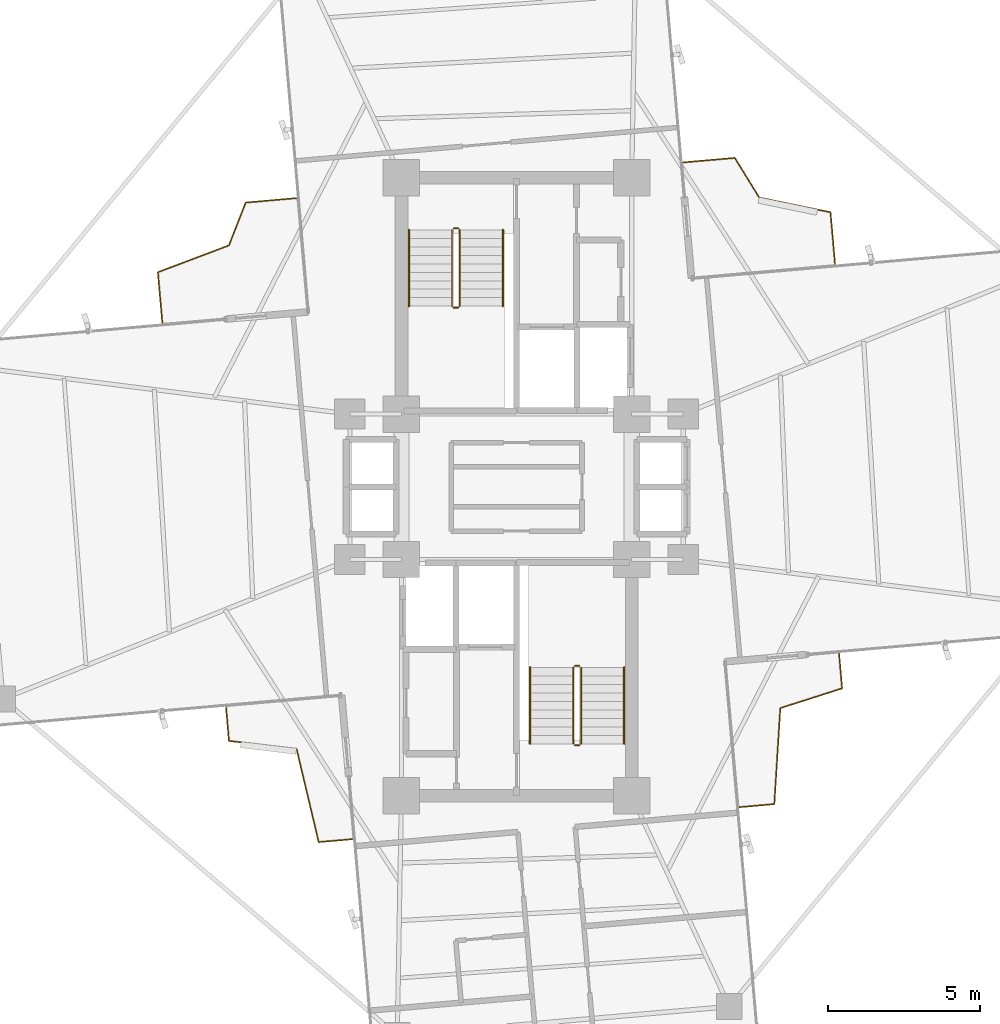
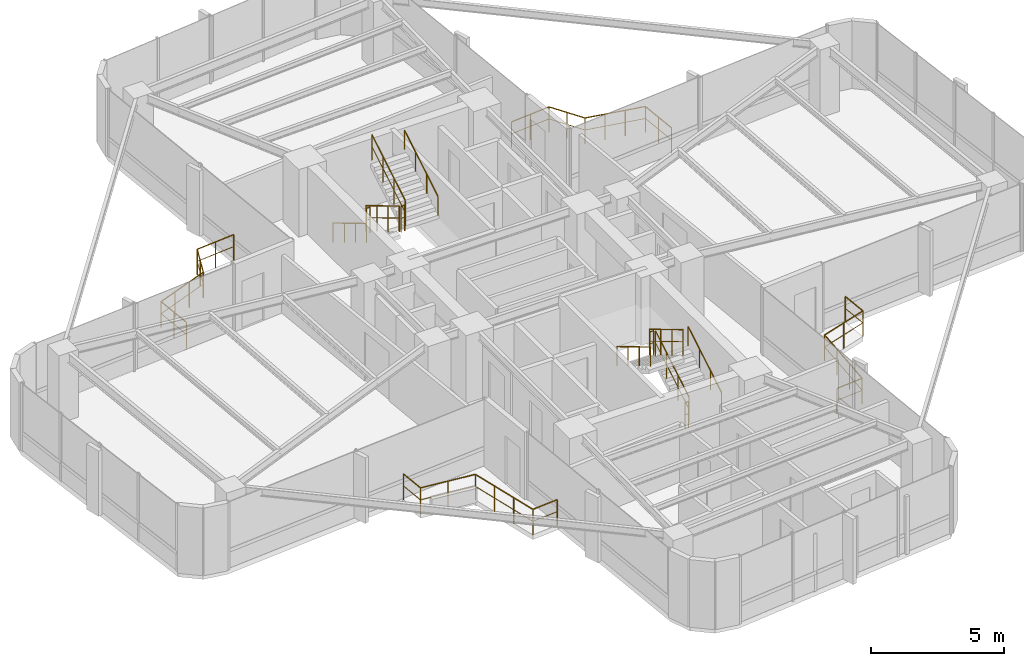
# One storey, part 24 of 24: 16 railings.
"""IFC4 building model written with IfcOpenShell, lengths in metres."""

from ifc_helpers import new_model, si_unit, direction, frame, origin, origin_2d, place, context, subcontext, project, spatial, circle, extrude, material, type_object, element, save


model = new_model("IFC4")

# Units and contexts
model_context = context("Model", 3, precision=1e-05, world=origin(), true_north=direction((0.0, 1.0)))
body_context = subcontext(model_context, "Body", "Model", "MODEL_VIEW")
ifc_project = project(units=[si_unit("LENGTHUNIT", "METRE"), si_unit("AREAUNIT", "SQUARE_METRE"), si_unit("VOLUMEUNIT", "CUBIC_METRE"), si_unit("PLANEANGLEUNIT", "RADIAN"), si_unit("MASSUNIT", "GRAM", prefix="KILO")], contexts=[model_context])

# Site, building, storey
site_placement = place(None, origin())
site = spatial("IfcSite", under=ifc_project, at=site_placement, CompositionType="ELEMENT")
building_placement = place(site_placement, origin())
building = spatial("IfcBuilding", under=site, at=building_placement, Name="Sahyath Konkavel Grand Hotel", CompositionType="ELEMENT")
storey_placement = place(building_placement, frame((0.0, 0.0, 185.25)))
storey = spatial("IfcBuildingStorey", under=building, at=storey_placement, Name="L51", CompositionType="ELEMENT", Elevation=185.25)

# Railings
ifc_material_1 = material(Name="Anodised Bronze Aluminium", Category="aluminium")
railing_type_1 = type_object("IfcRailingType", Name="RLG-BALC-1200", PredefinedType="GUARDRAIL", material=ifc_material_1)
railing_1_placement = place(storey_placement, frame((10.51220703125, 7.354248046875, 0.0)))
element("IfcRailing", 1, at=railing_1_placement, inside=storey, type_object=railing_type_1, Name="L51 Winter-Garden Guard NE", PredefinedType="GUARDRAIL", context=body_context, shape_type="SweptSolid", body=[
    extrude(circle(Radius=0.02392578125, at=origin_2d()), frame((-0.000244140625, 0.001953125, 1.17578125), z_axis=(-0.087207606559, 0.996190159236, 0.0), x_axis=(-0.996190159236, -0.087207606559, 0.0)), (0.0, 0.0, 1.0), 1.709228515625),
    extrude(circle(Radius=0.01416015625, at=origin_2d()), frame((-0.000244140625, 0.001953125, 0.6240234375), z_axis=(-0.087207606559, 0.996190159236, 0.0), x_axis=(-0.996190159236, -0.087207606559, 0.0)), (0.0, 0.0, 1.0), 1.709228515625),
    extrude(circle(Radius=0.02392578125, at=origin_2d()), frame((-0.1513671875, 1.707275390625, 1.17578125), z_axis=(-0.979252766935, 0.202642587945, 0.0), x_axis=(-0.202642587945, -0.979252766935, 0.0)), (0.0, 0.0, 1.0), 2.397216796875),
    extrude(circle(Radius=0.01416015625, at=origin_2d()), frame((-0.1513671875, 1.707275390625, 0.6240234375), z_axis=(-0.979252766935, 0.202642587945, 0.0), x_axis=(-0.202642587945, -0.979252766935, 0.0)), (0.0, 0.0, 1.0), 2.397216796875),
    extrude(circle(Radius=0.02392578125, at=origin_2d()), frame((-2.501708984375, 2.195068359375, 1.17578125), z_axis=(-0.5248503515, 0.851194518621, 0.0), x_axis=(-0.851194518621, -0.5248503515, 0.0)), (0.0, 0.0, 1.0), 1.533447265625),
    extrude(circle(Radius=0.01416015625, at=origin_2d()), frame((-2.501708984375, 2.195068359375, 0.6240234375), z_axis=(-0.5248503515, 0.851194518621, 0.0), x_axis=(-0.851194518621, -0.5248503515, 0.0)), (0.0, 0.0, 1.0), 1.533447265625),
    extrude(circle(Radius=0.02392578125, at=origin_2d()), frame((-3.3095703125, 3.501708984375, 1.17578125), z_axis=(-0.996190159236, -0.087207606559, 0.0), x_axis=(0.087207606559, -0.996190159236, 0.0)), (0.0, 0.0, 1.0), 1.709228515625),
    extrude(circle(Radius=0.01416015625, at=origin_2d()), frame((-3.3095703125, 3.501708984375, 0.6240234375), z_axis=(-0.996190159236, -0.087207606559, 0.0), x_axis=(0.087207606559, -0.996190159236, 0.0)), (0.0, 0.0, 1.0), 1.709228515625),
    extrude(circle(Radius=0.02099609375, at=origin_2d()), origin(), (0.0, 0.0, 1.0), 1.15185546875),
    extrude(circle(Radius=0.02099609375, at=origin_2d()), frame((-0.07470703125, 0.853515625, 0.0)), (0.0, 0.0, 1.0), 1.15185546875),
    extrude(circle(Radius=0.02099609375, at=origin_2d()), frame((-0.1494140625, 1.706787109375, 0.0)), (0.0, 0.0, 1.0), 1.15185546875),
    extrude(circle(Radius=0.02099609375, at=origin_2d()), frame((-0.93310546875, 1.868896484375, 0.0)), (0.0, 0.0, 1.0), 1.15185546875),
    extrude(circle(Radius=0.02099609375, at=origin_2d()), frame((-1.717041015625, 2.03125, 0.0)), (0.0, 0.0, 1.0), 1.15185546875),
    extrude(circle(Radius=0.02099609375, at=origin_2d()), frame((-2.500732421875, 2.193359375, 0.0)), (0.0, 0.0, 1.0), 1.15185546875),
    extrude(circle(Radius=0.02099609375, at=origin_2d()), frame((-2.904296875, 2.84765625, 0.0)), (0.0, 0.0, 1.0), 1.15185546875),
    extrude(circle(Radius=0.02099609375, at=origin_2d()), frame((-3.3076171875, 3.501953125, 0.0)), (0.0, 0.0, 1.0), 1.15185546875),
    extrude(circle(Radius=0.02099609375, at=origin_2d()), frame((-4.1611328125, 3.42724609375, 0.0)), (0.0, 0.0, 1.0), 1.15185546875),
    extrude(circle(Radius=0.02099609375, at=origin_2d()), frame((-5.014404296875, 3.3525390625, 0.0)), (0.0, 0.0, 1.0), 1.15185546875),
])
railing_2_placement = place(storey_placement, frame((-7.26806640625, 9.52783203125, 0.0)))
element("IfcRailing", 2, at=railing_2_placement, inside=storey, type_object=railing_type_1, Name="L51 Winter-Garden Guard NW", PredefinedType="GUARDRAIL", context=body_context, shape_type="SweptSolid", body=[
    extrude(circle(Radius=0.02392578125, at=origin_2d()), frame((-0.001953125, -0.000244140625, 1.17578125), z_axis=(-0.996195138685, -0.087150706597, 0.0), x_axis=(0.087150706597, -0.996195138685, 0.0)), (0.0, 0.0, 1.0), 1.674072265625),
    extrude(circle(Radius=0.01416015625, at=origin_2d()), frame((-0.001953125, -0.000244140625, 0.6240234375), z_axis=(-0.996195138685, -0.087150706597, 0.0), x_axis=(0.087150706597, -0.996195138685, 0.0)), (0.0, 0.0, 1.0), 1.674072265625),
    extrude(circle(Radius=0.02392578125, at=origin_2d()), frame((-1.67236328125, -0.148193359375, 1.17578125), z_axis=(-0.365011080678, -0.931003174529, 0.0), x_axis=(0.931003174529, -0.365011080678, 0.0)), (0.0, 0.0, 1.0), 1.515625),
    extrude(circle(Radius=0.01416015625, at=origin_2d()), frame((-1.67236328125, -0.148193359375, 0.6240234375), z_axis=(-0.365011080678, -0.931003174529, 0.0), x_axis=(0.931003174529, -0.365011080678, 0.0)), (0.0, 0.0, 1.0), 1.515625),
    extrude(circle(Radius=0.02392578125, at=origin_2d()), frame((-2.228271484375, -1.561767578125, 1.17578125), z_axis=(-0.93568251185, -0.352843077043, 0.0), x_axis=(0.352843077043, -0.93568251185, 0.0)), (0.0, 0.0, 1.0), 2.5),
    extrude(circle(Radius=0.01416015625, at=origin_2d()), frame((-2.228271484375, -1.561767578125, 0.6240234375), z_axis=(-0.93568251185, -0.352843077043, 0.0), x_axis=(0.352843077043, -0.93568251185, 0.0)), (0.0, 0.0, 1.0), 2.5),
    extrude(circle(Radius=0.02392578125, at=origin_2d()), frame((-4.569091796875, -2.446533203125, 1.17578125), z_axis=(0.087150706597, -0.996195138685, 0.0), x_axis=(0.996195138685, 0.087150706597, 0.0)), (0.0, 0.0, 1.0), 1.674072265625),
    extrude(circle(Radius=0.01416015625, at=origin_2d()), frame((-4.569091796875, -2.446533203125, 0.6240234375), z_axis=(0.087150706597, -0.996195138685, 0.0), x_axis=(0.996195138685, 0.087150706597, 0.0)), (0.0, 0.0, 1.0), 1.674072265625),
    extrude(circle(Radius=0.02099609375, at=origin_2d()), origin(), (0.0, 0.0, 1.0), 1.15185546875),
    extrude(circle(Radius=0.02099609375, at=origin_2d()), frame((-0.8359375, -0.0732421875, 0.0)), (0.0, 0.0, 1.0), 1.15185546875),
    extrude(circle(Radius=0.02099609375, at=origin_2d()), frame((-1.671630859375, -0.146240234375, 0.0)), (0.0, 0.0, 1.0), 1.15185546875),
    extrude(circle(Radius=0.02099609375, at=origin_2d()), frame((-1.948974609375, -0.853515625, 0.0)), (0.0, 0.0, 1.0), 1.15185546875),
    extrude(circle(Radius=0.02099609375, at=origin_2d()), frame((-2.226318359375, -1.56103515625, 0.0)), (0.0, 0.0, 1.0), 1.15185546875),
    extrude(circle(Radius=0.02099609375, at=origin_2d()), frame((-3.00732421875, -1.85546875, 0.0)), (0.0, 0.0, 1.0), 1.15185546875),
    extrude(circle(Radius=0.02099609375, at=origin_2d()), frame((-3.788330078125, -2.150146484375, 0.0)), (0.0, 0.0, 1.0), 1.15185546875),
    extrude(circle(Radius=0.02099609375, at=origin_2d()), frame((-4.5693359375, -2.444580078125, 0.0)), (0.0, 0.0, 1.0), 1.15185546875),
    extrude(circle(Radius=0.02099609375, at=origin_2d()), frame((-4.49609375, -3.2802734375, 0.0)), (0.0, 0.0, 1.0), 1.15185546875),
    extrude(circle(Radius=0.02099609375, at=origin_2d()), frame((-4.423095703125, -4.1162109375, 0.0)), (0.0, 0.0, 1.0), 1.15185546875),
])
railing_3_placement = place(storey_placement, frame((-9.589599609375, -7.2734375, 0.0)))
element("IfcRailing", 3, at=railing_3_placement, inside=storey, type_object=railing_type_1, Name="L51 Winter-Garden Guard SW", PredefinedType="GUARDRAIL", context=body_context, shape_type="SweptSolid", body=[
    extrude(circle(Radius=0.02392578125, at=origin_2d()), frame((0.000244140625, -0.001953125, 1.17578125), z_axis=(0.087091134757, -0.996200348447, 0.0), x_axis=(0.996200348447, 0.087091134757, 0.0)), (0.0, 0.0, 1.0), 1.114501953125),
    extrude(circle(Radius=0.01416015625, at=origin_2d()), frame((0.000244140625, -0.001953125, 0.6240234375), z_axis=(0.087091134757, -0.996200348447, 0.0), x_axis=(0.996200348447, 0.087091134757, 0.0)), (0.0, 0.0, 1.0), 1.114501953125),
    extrude(circle(Radius=0.02392578125, at=origin_2d()), frame((0.099365234375, -1.114501953125, 1.17578125), z_axis=(0.993029202977, -0.117868579502, 0.0), x_axis=(0.117868579502, 0.993029202977, 0.0)), (0.0, 0.0, 1.0), 2.243408203125),
    extrude(circle(Radius=0.01416015625, at=origin_2d()), frame((0.099365234375, -1.114501953125, 0.6240234375), z_axis=(0.993029202977, -0.117868579502, 0.0), x_axis=(0.117868579502, 0.993029202977, 0.0)), (0.0, 0.0, 1.0), 2.243408203125),
    extrude(circle(Radius=0.02392578125, at=origin_2d()), frame((2.32958984375, -1.381103515625, 1.17578125), z_axis=(0.230735942353, -0.973016405261, 0.0), x_axis=(0.973016405261, 0.230735942353, 0.0)), (0.0, 0.0, 1.0), 3.155517578125),
    extrude(circle(Radius=0.01416015625, at=origin_2d()), frame((2.32958984375, -1.381103515625, 0.6240234375), z_axis=(0.230735942353, -0.973016405261, 0.0), x_axis=(0.973016405261, 0.230735942353, 0.0)), (0.0, 0.0, 1.0), 3.155517578125),
    extrude(circle(Radius=0.02392578125, at=origin_2d()), frame((3.06005859375, -4.453125, 1.17578125), z_axis=(0.996202003483, 0.0870722014, 0.0), x_axis=(-0.0870722014, 0.996202003483, 0.0)), (0.0, 0.0, 1.0), 1.11474609375),
    extrude(circle(Radius=0.01416015625, at=origin_2d()), frame((3.06005859375, -4.453125, 0.6240234375), z_axis=(0.996202003483, 0.0870722014, 0.0), x_axis=(-0.0870722014, 0.996202003483, 0.0)), (0.0, 0.0, 1.0), 1.11474609375),
    extrude(circle(Radius=0.02099609375, at=origin_2d()), origin(), (0.0, 0.0, 1.0), 1.15185546875),
    extrude(circle(Radius=0.02099609375, at=origin_2d()), frame((0.097412109375, -1.1142578125, 0.0)), (0.0, 0.0, 1.0), 1.15185546875),
    extrude(circle(Radius=0.02099609375, at=origin_2d()), frame((1.21337890625, -1.24658203125, 0.0)), (0.0, 0.0, 1.0), 1.15185546875),
    extrude(circle(Radius=0.02099609375, at=origin_2d()), frame((2.3291015625, -1.379150390625, 0.0)), (0.0, 0.0, 1.0), 1.15185546875),
    extrude(circle(Radius=0.02099609375, at=origin_2d()), frame((2.572021484375, -2.40380859375, 0.0)), (0.0, 0.0, 1.0), 1.15185546875),
    extrude(circle(Radius=0.02099609375, at=origin_2d()), frame((2.815185546875, -3.4287109375, 0.0)), (0.0, 0.0, 1.0), 1.15185546875),
    extrude(circle(Radius=0.02099609375, at=origin_2d()), frame((3.05810546875, -4.453369140625, 0.0)), (0.0, 0.0, 1.0), 1.15185546875),
    extrude(circle(Radius=0.02099609375, at=origin_2d()), frame((4.172607421875, -4.35595703125, 0.0)), (0.0, 0.0, 1.0), 1.15185546875),
])
railing_4_placement = place(storey_placement, frame((7.359619140625, -10.57373046875, 0.0)))
element("IfcRailing", 4, at=railing_4_placement, inside=storey, type_object=railing_type_1, Name="L51 Winter-Garden Guard SE", PredefinedType="GUARDRAIL", context=body_context, shape_type="SweptSolid", body=[
    extrude(circle(Radius=0.02392578125, at=origin_2d()), frame((0.001953125, 0.000244140625, 1.17578125), z_axis=(0.996192798743, 0.087177449678, 0.0), x_axis=(-0.087177449678, 0.996192798743, 0.0)), (0.0, 0.0, 1.0), 1.14990234375),
    extrude(circle(Radius=0.01416015625, at=origin_2d()), frame((0.001953125, 0.000244140625, 0.6240234375), z_axis=(0.996192798743, 0.087177449678, 0.0), x_axis=(-0.087177449678, 0.996192798743, 0.0)), (0.0, 0.0, 1.0), 1.14990234375),
    extrude(circle(Radius=0.02392578125, at=origin_2d()), frame((1.149658203125, 0.1025390625, 1.17578125), z_axis=(0.061990433487, 0.998076743621, 0.0), x_axis=(-0.998076743621, 0.061990433487, 0.0)), (0.0, 0.0, 1.0), 3.17041015625),
    extrude(circle(Radius=0.01416015625, at=origin_2d()), frame((1.149658203125, 0.1025390625, 0.6240234375), z_axis=(0.061990433487, 0.998076743621, 0.0), x_axis=(-0.998076743621, 0.061990433487, 0.0)), (0.0, 0.0, 1.0), 3.17041015625),
    extrude(circle(Radius=0.02392578125, at=origin_2d()), frame((1.34814453125, 3.269287109375, 1.17578125), z_axis=(0.95247707952, 0.304610264091, 0.0), x_axis=(-0.304610264091, 0.95247707952, 0.0)), (0.0, 0.0, 1.0), 2.137451171875),
    extrude(circle(Radius=0.01416015625, at=origin_2d()), frame((1.34814453125, 3.269287109375, 0.6240234375), z_axis=(0.95247707952, 0.304610264091, 0.0), x_axis=(-0.304610264091, 0.95247707952, 0.0)), (0.0, 0.0, 1.0), 2.137451171875),
    extrude(circle(Radius=0.02392578125, at=origin_2d()), frame((3.3857421875, 3.923095703125, 1.17578125), z_axis=(-0.087177449678, 0.996192798743, 0.0), x_axis=(-0.996192798743, -0.087177449678, 0.0)), (0.0, 0.0, 1.0), 1.14990234375),
    extrude(circle(Radius=0.01416015625, at=origin_2d()), frame((3.3857421875, 3.923095703125, 0.6240234375), z_axis=(-0.087177449678, 0.996192798743, 0.0), x_axis=(-0.996192798743, -0.087177449678, 0.0)), (0.0, 0.0, 1.0), 1.14990234375),
    extrude(circle(Radius=0.02099609375, at=origin_2d()), origin(), (0.0, 0.0, 1.0), 1.15185546875),
    extrude(circle(Radius=0.02099609375, at=origin_2d()), frame((1.1494140625, 0.1005859375, 0.0)), (0.0, 0.0, 1.0), 1.15185546875),
    extrude(circle(Radius=0.02099609375, at=origin_2d()), frame((1.215087890625, 1.15673828125, 0.0)), (0.0, 0.0, 1.0), 1.15185546875),
    extrude(circle(Radius=0.02099609375, at=origin_2d()), frame((1.280517578125, 2.212646484375, 0.0)), (0.0, 0.0, 1.0), 1.15185546875),
    extrude(circle(Radius=0.02099609375, at=origin_2d()), frame((1.34619140625, 3.268798828125, 0.0)), (0.0, 0.0, 1.0), 1.15185546875),
    extrude(circle(Radius=0.02099609375, at=origin_2d()), frame((2.3662109375, 3.594970703125, 0.0)), (0.0, 0.0, 1.0), 1.15185546875),
    extrude(circle(Radius=0.02099609375, at=origin_2d()), frame((3.385986328125, 3.921142578125, 0.0)), (0.0, 0.0, 1.0), 1.15185546875),
    extrude(circle(Radius=0.02099609375, at=origin_2d()), frame((3.285400390625, 5.070556640625, 0.0)), (0.0, 0.0, 1.0), 1.15185546875),
])
ifc_material_2 = material(Name="Steel E350", Category="steel")
railing_type_2 = type_object("IfcRailingType", Name="RLG-STAIR-GRD", PredefinedType="GUARDRAIL", material=ifc_material_2)
railing_5_placement = place(storey_placement, frame((-2.1298828125, 8.47998046875, 0.16748046875)))
element("IfcRailing", 5, at=railing_5_placement, inside=storey, type_object=railing_type_2, Name="L51 ST-1 stair guard 1", PredefinedType="GUARDRAIL", context=body_context, shape_type="SweptSolid", body=[
    extrude(circle(Radius=0.02392578125, at=origin_2d()), frame((0.0, -0.001708984375, 1.177001953125), z_axis=(0.0, -0.858159760407, 0.513382728203), x_axis=(1.0, 0.0, 0.0)), (0.0, 0.0, 1.0), 2.9326171875),
    extrude(circle(Radius=0.01416015625, at=origin_2d()), frame((0.0, -0.001708984375, 0.625), z_axis=(0.0, -0.858159760407, 0.513382728203), x_axis=(1.0, 0.0, 0.0)), (0.0, 0.0, 1.0), 2.9326171875),
    extrude(circle(Radius=0.02099609375, at=origin_2d()), origin(), (0.0, 0.0, 1.0), 1.15185546875),
    extrude(circle(Radius=0.02099609375, at=origin_2d()), frame((0.0, -0.840087890625, 0.50244140625)), (0.0, 0.0, 1.0), 1.15185546875),
    extrude(circle(Radius=0.02099609375, at=origin_2d()), frame((0.0, -1.679931640625, 1.005126953125)), (0.0, 0.0, 1.0), 1.15185546875),
    extrude(circle(Radius=0.02099609375, at=origin_2d()), frame((0.0, -2.52001953125, 1.507568359375)), (0.0, 0.0, 1.0), 1.15185546875),
])
railing_6_placement = place(storey_placement, frame((-2.080078125, 5.909912109375, 1.675048828125)))
element("IfcRailing", 6, at=railing_6_placement, inside=storey, type_object=railing_type_2, Name="L51 ST-1 stair guard 2", PredefinedType="GUARDRAIL", context=body_context, shape_type="SweptSolid", body=[
    extrude(circle(Radius=0.02392578125, at=origin_2d()), frame((0.001953125, 0.0, 1.17578125), z_axis=(1.0, 0.0, 0.0), x_axis=(0.0, 1.0, 0.0)), (0.0, 0.0, 1.0), 0.15625),
    extrude(circle(Radius=0.01416015625, at=origin_2d()), frame((0.001953125, 0.0, 0.6240234375), z_axis=(1.0, 0.0, 0.0), x_axis=(0.0, 1.0, 0.0)), (0.0, 0.0, 1.0), 0.15625),
    extrude(circle(Radius=0.02099609375, at=origin_2d()), origin(), (0.0, 0.0, 1.0), 1.15185546875),
    extrude(circle(Radius=0.02099609375, at=origin_2d()), frame((0.16015625, 0.0, 0.0)), (0.0, 0.0, 1.0), 1.15185546875),
])
railing_7_placement = place(storey_placement, frame((-1.8701171875, 5.9599609375, 1.842529296875)))
element("IfcRailing", 7, at=railing_7_placement, inside=storey, type_object=railing_type_2, Name="L51 ST-1 stair guard 3", PredefinedType="GUARDRAIL", context=body_context, shape_type="SweptSolid", body=[
    extrude(circle(Radius=0.02392578125, at=origin_2d()), frame((0.0, 0.001708984375, 1.177001953125), z_axis=(0.0, 0.858159760407, 0.513382728203), x_axis=(-1.0, 0.0, 0.0)), (0.0, 0.0, 1.0), 2.9326171875),
    extrude(circle(Radius=0.01416015625, at=origin_2d()), frame((0.0, 0.001708984375, 0.625), z_axis=(0.0, 0.858159760407, 0.513382728203), x_axis=(-1.0, 0.0, 0.0)), (0.0, 0.0, 1.0), 2.9326171875),
    extrude(circle(Radius=0.02099609375, at=origin_2d()), origin(), (0.0, 0.0, 1.0), 1.15185546875),
    extrude(circle(Radius=0.02099609375, at=origin_2d()), frame((0.0, 0.840087890625, 0.50244140625)), (0.0, 0.0, 1.0), 1.15185546875),
    extrude(circle(Radius=0.02099609375, at=origin_2d()), frame((0.0, 1.679931640625, 1.005126953125)), (0.0, 0.0, 1.0), 1.15185546875),
    extrude(circle(Radius=0.02099609375, at=origin_2d()), frame((0.0, 2.52001953125, 1.507568359375)), (0.0, 0.0, 1.0), 1.15185546875),
])
railing_8_placement = place(storey_placement, frame((-2.080078125, 8.530029296875, 0.0)))
element("IfcRailing", 8, at=railing_8_placement, inside=storey, type_object=railing_type_2, Name="L51 ST-1 stair guard 4", PredefinedType="GUARDRAIL", context=body_context, shape_type="SweptSolid", body=[
    extrude(circle(Radius=0.02392578125, at=origin_2d()), frame((0.001953125, 0.0, 1.17578125), z_axis=(1.0, 0.0, 0.0), x_axis=(0.0, 1.0, 0.0)), (0.0, 0.0, 1.0), 0.15625),
    extrude(circle(Radius=0.01416015625, at=origin_2d()), frame((0.001953125, 0.0, 0.6240234375), z_axis=(1.0, 0.0, 0.0), x_axis=(0.0, 1.0, 0.0)), (0.0, 0.0, 1.0), 0.15625),
    extrude(circle(Radius=0.02099609375, at=origin_2d()), origin(), (0.0, 0.0, 1.0), 1.15185546875),
    extrude(circle(Radius=0.02099609375, at=origin_2d()), frame((0.16015625, 0.0, 0.0)), (0.0, 0.0, 1.0), 1.15185546875),
])
railing_9_placement = place(storey_placement, frame((2.1298828125, -8.47998046875, 0.16748046875)))
element("IfcRailing", 9, at=railing_9_placement, inside=storey, type_object=railing_type_2, Name="L51 ST-2 stair guard 1", PredefinedType="GUARDRAIL", context=body_context, shape_type="SweptSolid", body=[
    extrude(circle(Radius=0.02392578125, at=origin_2d()), frame((0.0, 0.001708984375, 1.177001953125), z_axis=(0.0, 0.858159760407, 0.513382728203), x_axis=(-1.0, 0.0, 0.0)), (0.0, 0.0, 1.0), 2.9326171875),
    extrude(circle(Radius=0.01416015625, at=origin_2d()), frame((0.0, 0.001708984375, 0.625), z_axis=(0.0, 0.858159760407, 0.513382728203), x_axis=(-1.0, 0.0, 0.0)), (0.0, 0.0, 1.0), 2.9326171875),
    extrude(circle(Radius=0.02099609375, at=origin_2d()), origin(), (0.0, 0.0, 1.0), 1.15185546875),
    extrude(circle(Radius=0.02099609375, at=origin_2d()), frame((0.0, 0.840087890625, 0.50244140625)), (0.0, 0.0, 1.0), 1.15185546875),
    extrude(circle(Radius=0.02099609375, at=origin_2d()), frame((0.0, 1.679931640625, 1.005126953125)), (0.0, 0.0, 1.0), 1.15185546875),
    extrude(circle(Radius=0.02099609375, at=origin_2d()), frame((0.0, 2.52001953125, 1.507568359375)), (0.0, 0.0, 1.0), 1.15185546875),
])
railing_10_placement = place(storey_placement, frame((2.080078125, -5.909912109375, 1.675048828125)))
element("IfcRailing", 10, at=railing_10_placement, inside=storey, type_object=railing_type_2, Name="L51 ST-2 stair guard 2", PredefinedType="GUARDRAIL", context=body_context, shape_type="SweptSolid", body=[
    extrude(circle(Radius=0.02392578125, at=origin_2d()), frame((-0.001953125, 0.0, 1.17578125), z_axis=(-1.0, 0.0, 0.0), x_axis=(0.0, -1.0, 0.0)), (0.0, 0.0, 1.0), 0.15625),
    extrude(circle(Radius=0.01416015625, at=origin_2d()), frame((-0.001953125, 0.0, 0.6240234375), z_axis=(-1.0, 0.0, 0.0), x_axis=(0.0, -1.0, 0.0)), (0.0, 0.0, 1.0), 0.15625),
    extrude(circle(Radius=0.02099609375, at=origin_2d()), origin(), (0.0, 0.0, 1.0), 1.15185546875),
    extrude(circle(Radius=0.02099609375, at=origin_2d()), frame((-0.16015625, 0.0, 0.0)), (0.0, 0.0, 1.0), 1.15185546875),
])
railing_11_placement = place(storey_placement, frame((1.8701171875, -5.9599609375, 1.842529296875)))
element("IfcRailing", 11, at=railing_11_placement, inside=storey, type_object=railing_type_2, Name="L51 ST-2 stair guard 3", PredefinedType="GUARDRAIL", context=body_context, shape_type="SweptSolid", body=[
    extrude(circle(Radius=0.02392578125, at=origin_2d()), frame((0.0, -0.001708984375, 1.177001953125), z_axis=(0.0, -0.858159760407, 0.513382728203), x_axis=(1.0, 0.0, 0.0)), (0.0, 0.0, 1.0), 2.9326171875),
    extrude(circle(Radius=0.01416015625, at=origin_2d()), frame((0.0, -0.001708984375, 0.625), z_axis=(0.0, -0.858159760407, 0.513382728203), x_axis=(1.0, 0.0, 0.0)), (0.0, 0.0, 1.0), 2.9326171875),
    extrude(circle(Radius=0.02099609375, at=origin_2d()), origin(), (0.0, 0.0, 1.0), 1.15185546875),
    extrude(circle(Radius=0.02099609375, at=origin_2d()), frame((0.0, -0.840087890625, 0.50244140625)), (0.0, 0.0, 1.0), 1.15185546875),
    extrude(circle(Radius=0.02099609375, at=origin_2d()), frame((0.0, -1.679931640625, 1.005126953125)), (0.0, 0.0, 1.0), 1.15185546875),
    extrude(circle(Radius=0.02099609375, at=origin_2d()), frame((0.0, -2.52001953125, 1.507568359375)), (0.0, 0.0, 1.0), 1.15185546875),
])
railing_12_placement = place(storey_placement, frame((2.080078125, -8.530029296875, 0.0)))
element("IfcRailing", 12, at=railing_12_placement, inside=storey, type_object=railing_type_2, Name="L51 ST-2 stair guard 4", PredefinedType="GUARDRAIL", context=body_context, shape_type="SweptSolid", body=[
    extrude(circle(Radius=0.02392578125, at=origin_2d()), frame((-0.001953125, 0.0, 1.17578125), z_axis=(-1.0, 0.0, 0.0), x_axis=(0.0, -1.0, 0.0)), (0.0, 0.0, 1.0), 0.15625),
    extrude(circle(Radius=0.01416015625, at=origin_2d()), frame((-0.001953125, 0.0, 0.6240234375), z_axis=(-1.0, 0.0, 0.0), x_axis=(0.0, -1.0, 0.0)), (0.0, 0.0, 1.0), 0.15625),
    extrude(circle(Radius=0.02099609375, at=origin_2d()), origin(), (0.0, 0.0, 1.0), 1.15185546875),
    extrude(circle(Radius=0.02099609375, at=origin_2d()), frame((-0.16015625, 0.0, 0.0)), (0.0, 0.0, 1.0), 1.15185546875),
])
railing_type_3 = type_object("IfcRailingType", Name="RLG-STAIR-HND", PredefinedType="HANDRAIL", material=ifc_material_1)
railing_13_placement = place(storey_placement, frame((-3.550048828125, 8.47998046875, 0.16748046875)))
element("IfcRailing", 13, at=railing_13_placement, inside=storey, type_object=railing_type_3, Name="L51 ST-1 stair handrail 1", PredefinedType="HANDRAIL", context=body_context, shape_type="SweptSolid", body=[
    extrude(circle(Radius=0.02392578125, at=origin_2d()), frame((0.0, -0.001708984375, 0.876953125), z_axis=(0.0, -0.858159760407, 0.513382728203), x_axis=(1.0, 0.0, 0.0)), (0.0, 0.0, 1.0), 2.9326171875),
    extrude(circle(Radius=0.02099609375, at=origin_2d()), origin(), (0.0, 0.0, 1.0), 0.851806640625),
    extrude(circle(Radius=0.02099609375, at=origin_2d()), frame((0.0, -0.840087890625, 0.50244140625)), (0.0, 0.0, 1.0), 0.851806640625),
    extrude(circle(Radius=0.02099609375, at=origin_2d()), frame((0.0, -1.679931640625, 1.005126953125)), (0.0, 0.0, 1.0), 0.851806640625),
    extrude(circle(Radius=0.02099609375, at=origin_2d()), frame((0.0, -2.52001953125, 1.507568359375)), (0.0, 0.0, 1.0), 0.851806640625),
])
for number, where, name in (
    (14, (-0.449951171875, 5.9599609375, 1.842529296875), "L51 ST-1 stair handrail 2"),
    (15, (3.550048828125, -8.47998046875, 0.16748046875), "L51 ST-2 stair handrail 1"),
):
    element("IfcRailing", number, at=place(storey_placement, frame(where)), inside=storey, type_object=railing_type_3, Name=name, PredefinedType="HANDRAIL", context=body_context, shape_type="SweptSolid", body=[
        extrude(circle(Radius=0.02392578125, at=origin_2d()), frame((0.0, 0.001708984375, 0.876953125), z_axis=(0.0, 0.858159760407, 0.513382728203), x_axis=(-1.0, 0.0, 0.0)), (0.0, 0.0, 1.0), 2.9326171875),
        extrude(circle(Radius=0.02099609375, at=origin_2d()), origin(), (0.0, 0.0, 1.0), 0.851806640625),
        extrude(circle(Radius=0.02099609375, at=origin_2d()), frame((0.0, 0.840087890625, 0.50244140625)), (0.0, 0.0, 1.0), 0.851806640625),
        extrude(circle(Radius=0.02099609375, at=origin_2d()), frame((0.0, 1.679931640625, 1.005126953125)), (0.0, 0.0, 1.0), 0.851806640625),
        extrude(circle(Radius=0.02099609375, at=origin_2d()), frame((0.0, 2.52001953125, 1.507568359375)), (0.0, 0.0, 1.0), 0.851806640625),
    ])
railing_14_placement = place(storey_placement, frame((0.449951171875, -5.9599609375, 1.842529296875)))
element("IfcRailing", 16, at=railing_14_placement, inside=storey, type_object=railing_type_3, Name="L51 ST-2 stair handrail 2", PredefinedType="HANDRAIL", context=body_context, shape_type="SweptSolid", body=[
    extrude(circle(Radius=0.02392578125, at=origin_2d()), frame((0.0, -0.001708984375, 0.876953125), z_axis=(0.0, -0.858159760407, 0.513382728203), x_axis=(1.0, 0.0, 0.0)), (0.0, 0.0, 1.0), 2.9326171875),
    extrude(circle(Radius=0.02099609375, at=origin_2d()), origin(), (0.0, 0.0, 1.0), 0.851806640625),
    extrude(circle(Radius=0.02099609375, at=origin_2d()), frame((0.0, -0.840087890625, 0.50244140625)), (0.0, 0.0, 1.0), 0.851806640625),
    extrude(circle(Radius=0.02099609375, at=origin_2d()), frame((0.0, -1.679931640625, 1.005126953125)), (0.0, 0.0, 1.0), 0.851806640625),
    extrude(circle(Radius=0.02099609375, at=origin_2d()), frame((0.0, -2.52001953125, 1.507568359375)), (0.0, 0.0, 1.0), 0.851806640625),
])

save(model, "model.ifc")
